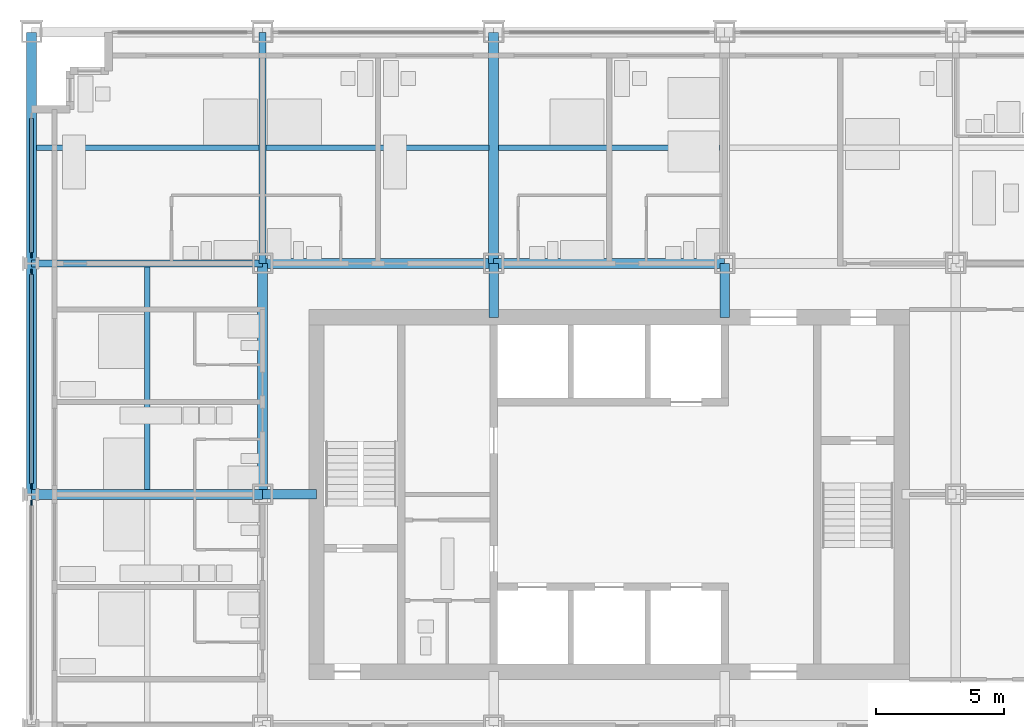
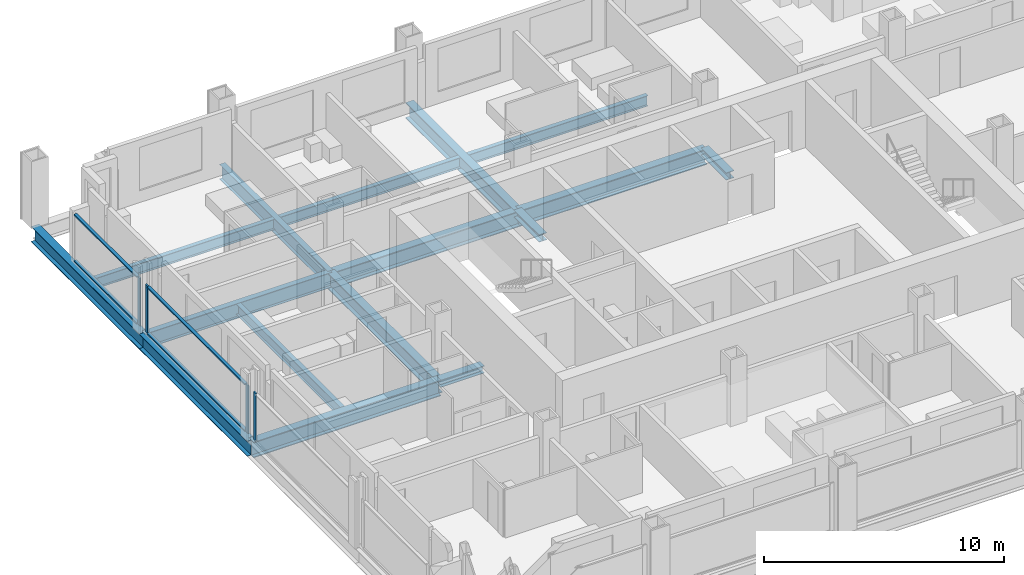
# One storey, part 4 of 18: 13 beams, 11 members, 3 elements without a shape of their own.
"""IFC4 building model written with IfcOpenShell, lengths in metres."""

from ifc_helpers import new_model, si_unit, direction, frame, origin, origin_2d, place, context, subcontext, project, spatial, rectangle, i_section, extrude, material, material_profile, profile_set, type_object, element, aggregate, save


model = new_model("IFC4")

# Units and contexts
model_context = context("Model", 3, precision=1e-05, world=origin(), true_north=direction((0.0, 1.0)))
body_context = subcontext(model_context, "Body", "Model", "MODEL_VIEW")
ifc_project = project(units=[si_unit("LENGTHUNIT", "METRE"), si_unit("AREAUNIT", "SQUARE_METRE"), si_unit("VOLUMEUNIT", "CUBIC_METRE"), si_unit("PLANEANGLEUNIT", "RADIAN"), si_unit("MASSUNIT", "GRAM", prefix="KILO")], contexts=[model_context])

# Site, building, storey
site_placement = place(None, origin())
site = spatial("IfcSite", under=ifc_project, at=site_placement, CompositionType="ELEMENT")
building_placement = place(site_placement, origin())
building = spatial("IfcBuilding", under=site, at=building_placement, Name="Loomwork Tower", CompositionType="ELEMENT")
storey_placement = place(building_placement, frame((0.0, 0.0, 58.60009765625)))
storey = spatial("IfcBuildingStorey", under=building, at=storey_placement, Name="L14", CompositionType="ELEMENT", Elevation=58.60009765625)

# Beams
ifc_material_1 = material(Name="Steel ASTM A992", Category="steel")
ifc_material_profile_1 = material_profile(ifc_material_1, i_section(OverallWidth=0.383544921875, OverallDepth=0.794921875, WebThickness=0.02099609375, FlangeThickness=0.0380859375, at=origin_2d()), Name="W30x235")
ifc_profile_set_1 = profile_set([ifc_material_profile_1], Name="Steel ASTM A992")
beam_type_1 = type_object("IfcBeamType", Name="CORE FLANK GIRDER W30x235", PredefinedType="BEAM", material=ifc_profile_set_1)
for number, where, z_axis, x_axis, name in (
    (1, (0.0, 18.0, -0.59765625), (1.0, 0.0, 0.0), (0.0, 1.0, 0.0), "Core Flank Girder F/2-F/3 L14"),
    (2, (9.0, 27.0, -0.59765625), (1.0, 0.0, 0.0), (0.0, 1.0, 0.0), "Core Flank Girder G/3-G/4 L14"),
    (3, (18.0, 27.0, -0.59765625), (1.0, 0.0, 0.0), (0.0, 1.0, 0.0), "Core Flank Girder G/4-G/5 L14"),
    (4, (9.0, 18.0, -0.59765625), (0.0, 1.0, 0.0), (-1.0, 0.0, 0.0), "Core Flank Girder F/3-G/3 L14"),
    (5, (18.0, 27.0, -0.59765625), (0.0, 1.0, 0.0), (-1.0, 0.0, 0.0), "Core Flank Girder G/4-H/4 L14"),
):
    element("IfcBeam", number, at=place(storey_placement, frame(where, z_axis=z_axis, x_axis=x_axis)), inside=storey, type_object=beam_type_1, Name=name, PredefinedType="BEAM", context=body_context, shape_type="SweptSolid", body=[
        extrude(i_section(OverallWidth=0.383544921875, OverallDepth=0.794921875, WebThickness=0.02099609375, FlangeThickness=0.0380859375, at=origin_2d()), origin(), (0.0, 0.0, 1.0), 9.0),
    ])

# Members
ifc_material_2 = material(Name="Steel ASTM A992", Category="steel")
ifc_material_profile_2 = material_profile(ifc_material_2, i_section(OverallWidth=0.373291015625, OverallDepth=0.373291015625, WebThickness=0.016357421875, FlangeThickness=0.026123046875, at=origin_2d()), Name="W14x132")
ifc_profile_set_2 = profile_set([ifc_material_profile_2], Name="Steel ASTM A992")
member_type_1 = type_object("IfcMemberType", Name="CORE LINK STRUT W14x132", PredefinedType="STRUT", material=ifc_profile_set_2)
for number, where, z_axis, x_axis, name in (
    (6, (27.0, 27.0, -0.38671875), (0.0, -1.0, 0.0), (1.0, 0.0, 0.0), "Core link strut G/5-27.000,24.900 L14"),
    (7, (18.0, 27.0, -0.38671875), (0.0, -1.0, 0.0), (1.0, 0.0, 0.0), "Core link strut G/4-18.000,24.900 L14"),
    (8, (9.0, 18.0, -0.38671875), (1.0, 0.0, 0.0), (0.0, 1.0, 0.0), "Core link strut F/3-11.100,18.000 L14"),
):
    element("IfcMember", number, at=place(storey_placement, frame(where, z_axis=z_axis, x_axis=x_axis)), inside=storey, type_object=member_type_1, Name=name, PredefinedType="STRUT", context=body_context, shape_type="SweptSolid", body=[
        extrude(i_section(OverallWidth=0.373291015625, OverallDepth=0.373291015625, WebThickness=0.016357421875, FlangeThickness=0.026123046875, at=origin_2d()), origin(), (0.0, 0.0, 1.0), 2.10009765625),
    ])

# Beams
ifc_material_3 = material(Name="Steel ASTM A992", Category="steel")
ifc_material_profile_3 = material_profile(ifc_material_3, i_section(OverallWidth=0.2666015625, OverallDepth=0.761962890625, WebThickness=0.014404296875, FlangeThickness=0.021484375, at=origin_2d()), Name="W30x116")
ifc_profile_set_3 = profile_set([ifc_material_profile_3], Name="Steel ASTM A992")
beam_type_2 = type_object("IfcBeamType", Name="FLOOR GIRDER W30x116", PredefinedType="BEAM", material=ifc_profile_set_3)
for number, where, z_axis, x_axis, name in (
    (9, (0.0, 27.0, -0.5810546875), (1.0, 0.0, 0.0), (0.0, 1.0, 0.0), "Floor Girder G/2-G/3 L14"),
    (10, (9.0, 27.0, -0.5810546875), (0.0, 1.0, 0.0), (-1.0, 0.0, 0.0), "Floor Girder G/3-H/3 L14"),
):
    element("IfcBeam", number, at=place(storey_placement, frame(where, z_axis=z_axis, x_axis=x_axis)), inside=storey, type_object=beam_type_2, Name=name, PredefinedType="BEAM", context=body_context, shape_type="SweptSolid", body=[
        extrude(i_section(OverallWidth=0.2666015625, OverallDepth=0.761962890625, WebThickness=0.014404296875, FlangeThickness=0.021484375, at=origin_2d()), origin(), (0.0, 0.0, 1.0), 9.0),
    ])
ifc_material_4 = material(Name="Steel ASTM A992", Category="steel")
ifc_material_profile_4 = material_profile(ifc_material_4, i_section(OverallWidth=0.2109375, OverallDepth=0.53857421875, WebThickness=0.011474609375, FlangeThickness=0.018798828125, at=origin_2d()), Name="W21x73")
ifc_profile_set_4 = profile_set([ifc_material_profile_4], Name="Steel ASTM A992")
beam_type_3 = type_object("IfcBeamType", Name="FLOOR JOIST W21x73", PredefinedType="JOIST", material=ifc_profile_set_4)
beam_1_placement = place(storey_placement, frame((4.5, 18.19091796875, -0.46923828125), z_axis=(0.0, 1.0, 0.0), x_axis=(-1.0, 0.0, 0.0)))
element("IfcBeam", 11, at=beam_1_placement, inside=storey, type_object=beam_type_3, Name="Floor Joist 4.500,18.000-4.500,27.000 L14", PredefinedType="JOIST", context=body_context, shape_type="SweptSolid", body=[
    extrude(i_section(OverallWidth=0.2109375, OverallDepth=0.53857421875, WebThickness=0.011474609375, FlangeThickness=0.018798828125, at=origin_2d()), origin(), (0.0, 0.0, 1.0), 8.676025390625),
])
beam_2_placement = place(storey_placement, frame((0.18994140625, 31.5, -0.46923828125), z_axis=(1.0, 0.0, 0.0), x_axis=(0.0, 1.0, 0.0)))
element("IfcBeam", 12, at=beam_2_placement, inside=storey, type_object=beam_type_3, Name="Floor Joist 0.000,31.500-9.000,31.500 L14", PredefinedType="JOIST", context=body_context, shape_type="SweptSolid", body=[
    extrude(i_section(OverallWidth=0.2109375, OverallDepth=0.53857421875, WebThickness=0.011474609375, FlangeThickness=0.018798828125, at=origin_2d()), origin(), (0.0, 0.0, 1.0), 8.677001953125),
])
beam_3_placement = place(storey_placement, frame((9.133056640625, 31.5, -0.46923828125), z_axis=(1.0, 0.0, 0.0), x_axis=(0.0, 1.0, 0.0)))
element("IfcBeam", 13, at=beam_3_placement, inside=storey, type_object=beam_type_3, Name="Floor Joist 9.000,31.500-18.000,31.500 L14", PredefinedType="JOIST", context=body_context, shape_type="SweptSolid", body=[
    extrude(i_section(OverallWidth=0.2109375, OverallDepth=0.53857421875, WebThickness=0.011474609375, FlangeThickness=0.018798828125, at=origin_2d()), origin(), (0.0, 0.0, 1.0), 8.676025390625),
])
beam_4_placement = place(storey_placement, frame((18.19091796875, 31.5, -0.46923828125), z_axis=(1.0, 0.0, 0.0), x_axis=(0.0, 1.0, 0.0)))
element("IfcBeam", 14, at=beam_4_placement, inside=storey, type_object=beam_type_3, Name="Floor Joist 18.000,31.500-27.000,31.500 L14", PredefinedType="JOIST", context=body_context, shape_type="SweptSolid", body=[
    extrude(i_section(OverallWidth=0.2109375, OverallDepth=0.53857421875, WebThickness=0.011474609375, FlangeThickness=0.018798828125, at=origin_2d()), origin(), (0.0, 0.0, 1.0), 8.6181640625),
])

# Curtain wall, member
ifc_material_5 = material(Name="Aluminium curtain wall frame", Category="aluminium")
curtain_wall_type = type_object("IfcCurtainWallType", Name="Outer skin glazing hotel", PredefinedType="NOTDEFINED", material=ifc_material_5)
curtain_wall_1_placement = place(storey_placement, origin())
curtain_wall_1 = element("IfcCurtainWall", 15, at=curtain_wall_1_placement, inside=storey, type_object=curtain_wall_type, Name="Outer skin glazing hotel cw/W-9", PredefinedType="NOTDEFINED")
ifc_material_6 = material(Name="Aluminium curtain wall frame", Category="aluminium")
ifc_material_profile_5 = material_profile(ifc_material_6, rectangle(XDim=0.06494140625, YDim=0.199951171875, at=origin_2d()), Name="AL 65x200")
ifc_profile_set_5 = profile_set([ifc_material_profile_5], Name="Aluminium curtain wall frame")
member_type_2 = type_object("IfcMemberType", Name="Outer skin glazing hotel mullion", PredefinedType="MULLION", material=ifc_profile_set_5)
member_1_placement = place(storey_placement, frame((0.0, 17.672607421875, 0.0), z_axis=(0.0, 0.0, 1.0), x_axis=(1.0, 0.0, 0.0)))
member_1 = element("IfcMember", 16, at=member_1_placement, type_object=member_type_2, Name="CW1 mullion 1", PredefinedType="MULLION", context=body_context, shape_type="SweptSolid", body=[
    extrude(rectangle(XDim=0.06494140625, YDim=0.199951171875, at=origin_2d()), origin(), (0.0, 0.0, 1.0), 2.420166015625),
])
aggregate(curtain_wall_1, [member_1])

# Curtain wall, members
curtain_wall_2_placement = place(storey_placement, origin())
curtain_wall_2 = element("IfcCurtainWall", 17, at=curtain_wall_2_placement, inside=storey, type_object=curtain_wall_type, Name="Outer skin glazing hotel cw/W-18", PredefinedType="NOTDEFINED")
member_2_placement = place(storey_placement, frame((0.0, 26.672607421875, 0.0), z_axis=(0.0, 0.0, 1.0), x_axis=(1.0, 0.0, 0.0)))
member_2 = element("IfcMember", 18, at=member_2_placement, type_object=member_type_2, Name="CW1 mullion 1", PredefinedType="MULLION", context=body_context, shape_type="SweptSolid", body=[
    extrude(rectangle(XDim=0.06494140625, YDim=0.199951171875, at=origin_2d()), origin(), (0.0, 0.0, 1.0), 2.420166015625),
])
member_3_placement = place(storey_placement, frame((0.0, 18.327392578125, 0.0), z_axis=(0.0, 0.0, 1.0), x_axis=(1.0, 0.0, 0.0)))
member_3 = element("IfcMember", 19, at=member_3_placement, type_object=member_type_2, Name="CW1 mullion 2", PredefinedType="MULLION", context=body_context, shape_type="SweptSolid", body=[
    extrude(rectangle(XDim=0.06494140625, YDim=0.199951171875, at=origin_2d()), origin(), (0.0, 0.0, 1.0), 2.420166015625),
])

# Curtain wall, member
curtain_wall_3_placement = place(storey_placement, origin())
curtain_wall_3 = element("IfcCurtainWall", 20, at=curtain_wall_3_placement, inside=storey, type_object=curtain_wall_type, Name="Outer skin glazing hotel cw/W-27", PredefinedType="NOTDEFINED")
member_4_placement = place(storey_placement, frame((0.0, 27.327392578125, 0.0), z_axis=(0.0, 0.0, 1.0), x_axis=(1.0, 0.0, 0.0)))
member_4 = element("IfcMember", 21, at=member_4_placement, type_object=member_type_2, Name="CW1 mullion 2", PredefinedType="MULLION", context=body_context, shape_type="SweptSolid", body=[
    extrude(rectangle(XDim=0.06494140625, YDim=0.199951171875, at=origin_2d()), origin(), (0.0, 0.0, 1.0), 2.420166015625),
])

# Member
ifc_material_7 = material(Name="Aluminium curtain wall frame", Category="aluminium")
ifc_material_profile_6 = material_profile(ifc_material_7, rectangle(XDim=0.14990234375, YDim=0.06494140625, at=origin_2d()), Name="AL 65x150")
ifc_profile_set_6 = profile_set([ifc_material_profile_6], Name="Aluminium curtain wall frame")
member_type_3 = type_object("IfcMemberType", Name="Outer skin glazing hotel transom", PredefinedType="USERDEFINED", material=ifc_profile_set_6)
member_5_placement = place(storey_placement, frame((0.0, 26.57275390625, 0.032470703125), z_axis=(0.0, -1.0, 0.0), x_axis=(1.0, 0.0, 0.0)))
member_5 = element("IfcMember", 22, at=member_5_placement, type_object=member_type_3, Name="CW1 transom 1.1", ObjectType="TRANSOM", PredefinedType="USERDEFINED", context=body_context, shape_type="SweptSolid", body=[
    extrude(rectangle(XDim=0.14990234375, YDim=0.06494140625, at=origin_2d()), origin(), (0.0, 0.0, 1.0), 8.1455078125),
])

member_6_placement = place(storey_placement, frame((0.0, 26.57275390625, 2.3876953125), z_axis=(0.0, -1.0, 0.0), x_axis=(1.0, 0.0, 0.0)))
member_6 = element("IfcMember", 23, at=member_6_placement, type_object=member_type_3, Name="CW1 transom 1.2", ObjectType="TRANSOM", PredefinedType="USERDEFINED", context=body_context, shape_type="SweptSolid", body=[
    extrude(rectangle(XDim=0.14990234375, YDim=0.06494140625, at=origin_2d()), origin(), (0.0, 0.0, 1.0), 8.1455078125),
])

aggregate(curtain_wall_2, [member_2, member_3, member_5, member_6])

member_7_placement = place(storey_placement, frame((0.0, 32.64990234375, 0.032470703125), z_axis=(0.0, -1.0, 0.0), x_axis=(1.0, 0.0, 0.0)))
member_7 = element("IfcMember", 24, at=member_7_placement, type_object=member_type_3, Name="CW1 transom 1.1", ObjectType="TRANSOM", PredefinedType="USERDEFINED", context=body_context, shape_type="SweptSolid", body=[
    extrude(rectangle(XDim=0.14990234375, YDim=0.06494140625, at=origin_2d()), origin(), (0.0, 0.0, 1.0), 5.22265625),
])

member_8_placement = place(storey_placement, frame((0.0, 32.64990234375, 2.3876953125), z_axis=(0.0, -1.0, 0.0), x_axis=(1.0, 0.0, 0.0)))
member_8 = element("IfcMember", 25, at=member_8_placement, type_object=member_type_3, Name="CW1 transom 1.2", ObjectType="TRANSOM", PredefinedType="USERDEFINED", context=body_context, shape_type="SweptSolid", body=[
    extrude(rectangle(XDim=0.14990234375, YDim=0.06494140625, at=origin_2d()), origin(), (0.0, 0.0, 1.0), 5.22265625),
])

aggregate(curtain_wall_3, [member_4, member_7, member_8])

# Beams
ifc_material_8 = material(Name="Steel ASTM A992", Category="steel")
ifc_material_profile_7 = material_profile(ifc_material_8, i_section(OverallWidth=0.381103515625, OverallDepth=0.77978515625, WebThickness=0.01806640625, FlangeThickness=0.0302734375, at=origin_2d()), Name="W30x191")
ifc_profile_set_7 = profile_set([ifc_material_profile_7], Name="Steel ASTM A992")
beam_type_4 = type_object("IfcBeamType", Name="SPANDREL GIRDER W30x191", PredefinedType="SPANDREL", material=ifc_profile_set_7)
for number, where, z_axis, x_axis, name in (
    (26, (0.0, 18.0, -0.590087890625), (0.0, 1.0, 0.0), (-1.0, 0.0, 0.0), "Spandrel Girder F/2-G/2 L14"),
    (27, (0.0, 27.0, -0.590087890625), (0.0, 1.0, 0.0), (-1.0, 0.0, 0.0), "Spandrel Girder G/2-H/2 L14"),
):
    element("IfcBeam", number, at=place(storey_placement, frame(where, z_axis=z_axis, x_axis=x_axis)), inside=storey, type_object=beam_type_4, Name=name, PredefinedType="SPANDREL", context=body_context, shape_type="SweptSolid", body=[
        extrude(i_section(OverallWidth=0.381103515625, OverallDepth=0.77978515625, WebThickness=0.01806640625, FlangeThickness=0.0302734375, at=origin_2d()), origin(), (0.0, 0.0, 1.0), 9.0),
    ])

save(model, "model.ifc")
